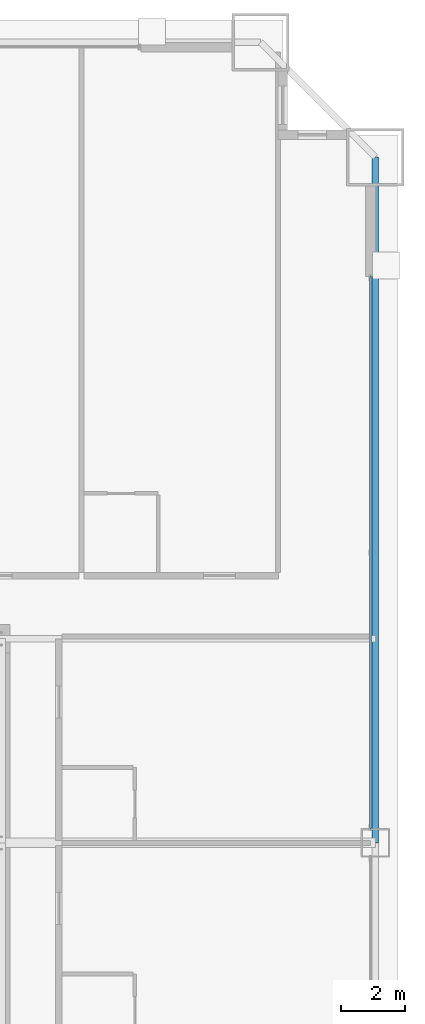
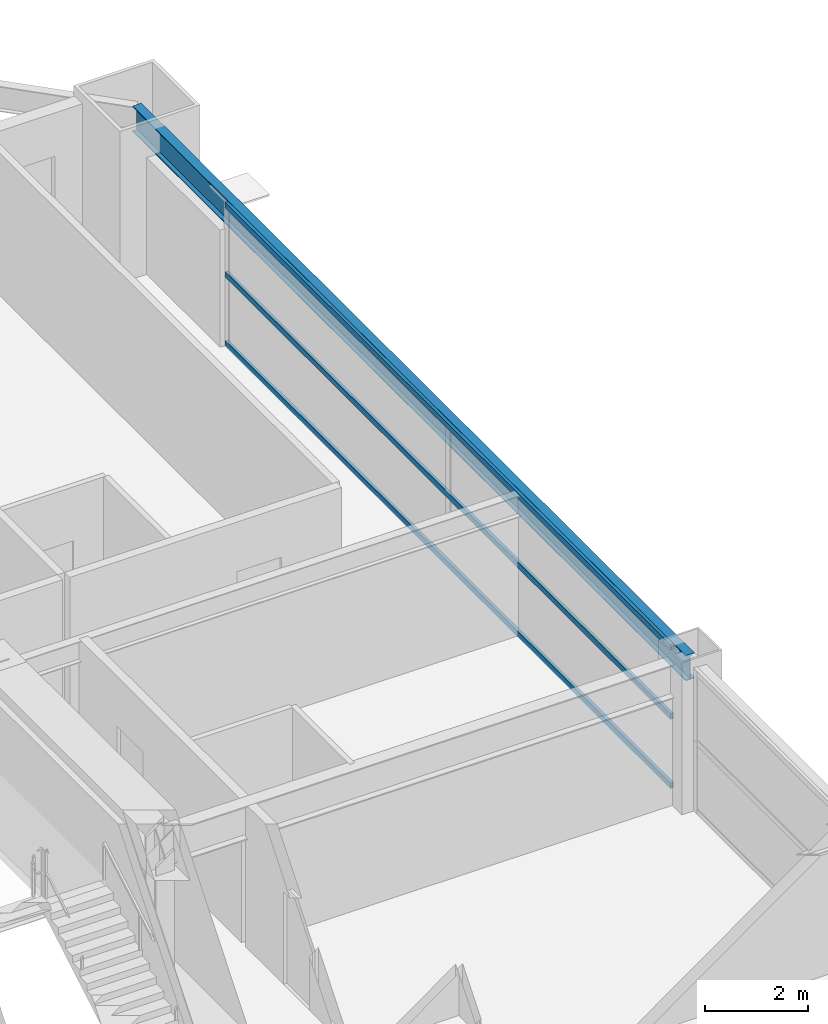
# One storey, part 34 of 45: 3 members, 1 beam, 1 element without a shape of its own.
"""IFC4 building model written with IfcOpenShell, lengths in metres."""

from ifc_helpers import new_model, si_unit, direction, frame, origin, origin_2d, place, context, subcontext, project, spatial, hollow_rectangle, i_section, extrude, source, transform, mapped, material, layer, layer_set, material_profile, profile_set, type_object, element, aggregate, save


model = new_model("IFC4")

# Units and contexts
model_context = context("Model", 3, precision=1e-05, world=origin(), true_north=direction((0.0, 1.0)))
body_context = subcontext(model_context, "Body", "Model", "MODEL_VIEW")
ifc_project = project(units=[si_unit("LENGTHUNIT", "METRE"), si_unit("AREAUNIT", "SQUARE_METRE"), si_unit("VOLUMEUNIT", "CUBIC_METRE"), si_unit("PLANEANGLEUNIT", "RADIAN"), si_unit("MASSUNIT", "GRAM", prefix="KILO"), si_unit("THERMODYNAMICTEMPERATUREUNIT", "KELVIN"), si_unit("POWERUNIT", "WATT")], contexts=[model_context])

# Site, building, storey
site_placement = place(None, origin())
site = spatial("IfcSite", under=ifc_project, at=site_placement, CompositionType="ELEMENT")
building_placement = place(site_placement, origin())
building = spatial("IfcBuilding", under=site, at=building_placement, Name="Yuzanri Waterfront Tower", CompositionType="ELEMENT")
storey_placement = place(building_placement, frame((0.0, 0.0, 49.60009765625)))
storey = spatial("IfcBuildingStorey", under=building, at=storey_placement, Name="L12", CompositionType="ELEMENT", Elevation=49.60009765625)

# Beam
ifc_material_1 = material(Name="Steel Q355B", Category="steel")
ifc_material_profile_1 = material_profile(ifc_material_1, i_section(OverallWidth=0.199951171875, OverallDepth=0.60009765625, WebThickness=0.010986328125, FlangeThickness=0.01708984375, at=origin_2d()), Name="HN 600x200x11x17")
ifc_profile_set_1 = profile_set([ifc_material_profile_1], Name="Steel Q355B")
beam_type = type_object("IfcBeamType", Name="Perimeter Spandrel Q355B HN 600x200", PredefinedType="SPANDREL", material=ifc_profile_set_1)
shared_shape_1 = source(origin(), body_context, "Body", "SweptSolid", [
    extrude(i_section(OverallWidth=0.199951171875, OverallDepth=0.60009765625, WebThickness=0.010986328125, FlangeThickness=0.01708984375, at=origin_2d()), origin(), (0.0, 0.0, 1.0), 21.5),
])
beam_placement = place(storey_placement, frame((62.10009765625, 25.800048828125, 3.079833984375), z_axis=(0.0, 1.0, 0.0), x_axis=(-1.0, 0.0, 0.0)))
element("IfcBeam", 1, at=beam_placement, inside=storey, type_object=beam_type, Name="L12 Perimeter Spandrel E2-E3", PredefinedType="SPANDREL", context=body_context, shape_type="MappedRepresentation", body=[
    mapped(shared_shape_1, transform((0.0, 0.0, 0.0), scale=1.0)),
])

# Curtain wall, members
ifc_material_2 = material(Name="Anodized Architectural Bronze", Category="metal")
ifc_layer = layer(ifc_material_2, 0.159912109375)
ifc_layer_set = layer_set([ifc_layer], Name="Anodized Architectural Bronze")
curtain_wall_type = type_object("IfcCurtainWallType", Name="Anodized Bronze Hotel Lower-Tier Recessed Unitized Curtain Wall 8100", PredefinedType="NOTDEFINED", material=ifc_layer_set)
curtain_wall_placement = place(storey_placement, origin())
curtain_wall = element("IfcCurtainWall", 2, at=curtain_wall_placement, inside=storey, type_object=curtain_wall_type, Name="L12 Curtain Wall CW-L12-ER", PredefinedType="NOTDEFINED")
ifc_material_3 = material(Name="Anodized Architectural Bronze", Category="metal")
ifc_material_profile_2 = material_profile(ifc_material_3, hollow_rectangle(XDim=0.070068359375, YDim=0.135009765625, WallThickness=0.00341796875, at=origin_2d()), Name="CWT 70x135")
ifc_profile_set_2 = profile_set([ifc_material_profile_2], Name="Anodized Architectural Bronze")
member_type = type_object("IfcMemberType", Name="Anodized Bronze Standard Curtain-Wall Transom 70x135", PredefinedType="USERDEFINED", material=ifc_profile_set_2)
shared_shape_2 = source(origin(), body_context, "Body", "SweptSolid", [
    extrude(hollow_rectangle(XDim=0.070068359375, YDim=0.135009765625, WallThickness=0.00341796875, at=origin_2d()), origin(), (0.0, 0.0, 1.0), 17.300048828125),
])
member_1_placement = place(storey_placement, frame((61.949951171875, 26.25, 0.0498046875), z_axis=(0.0, 1.0, 0.0), x_axis=(-1.0, 0.0, 0.0)))
member_1 = element("IfcMember", 3, at=member_1_placement, type_object=member_type, Name="CW-L12-ER Transom 1", ObjectType="TRANSOM", PredefinedType="USERDEFINED", context=body_context, shape_type="MappedRepresentation", body=[
    mapped(shared_shape_2, transform((0.0, 0.0, 0.0), scale=1.0)),
])
member_2_placement = place(storey_placement, frame((61.949951171875, 26.25, 1.68994140625), z_axis=(0.0, 1.0, 0.0), x_axis=(-1.0, 0.0, 0.0)))
member_2 = element("IfcMember", 4, at=member_2_placement, type_object=member_type, Name="CW-L12-ER Transom 2", ObjectType="TRANSOM", PredefinedType="USERDEFINED", context=body_context, shape_type="MappedRepresentation", body=[
    mapped(shared_shape_2, transform((0.0, 0.0, 0.0), scale=1.0)),
])
member_3_placement = place(storey_placement, frame((61.949951171875, 26.25, 3.329833984375), z_axis=(0.0, 1.0, 0.0), x_axis=(-1.0, 0.0, 0.0)))
member_3 = element("IfcMember", 5, at=member_3_placement, type_object=member_type, Name="CW-L12-ER Transom 3", ObjectType="TRANSOM", PredefinedType="USERDEFINED", context=body_context, shape_type="MappedRepresentation", body=[
    mapped(shared_shape_2, transform((0.0, 0.0, 0.0), scale=1.0)),
])
aggregate(curtain_wall, [member_1, member_2, member_3])

save(model, "model.ifc")
